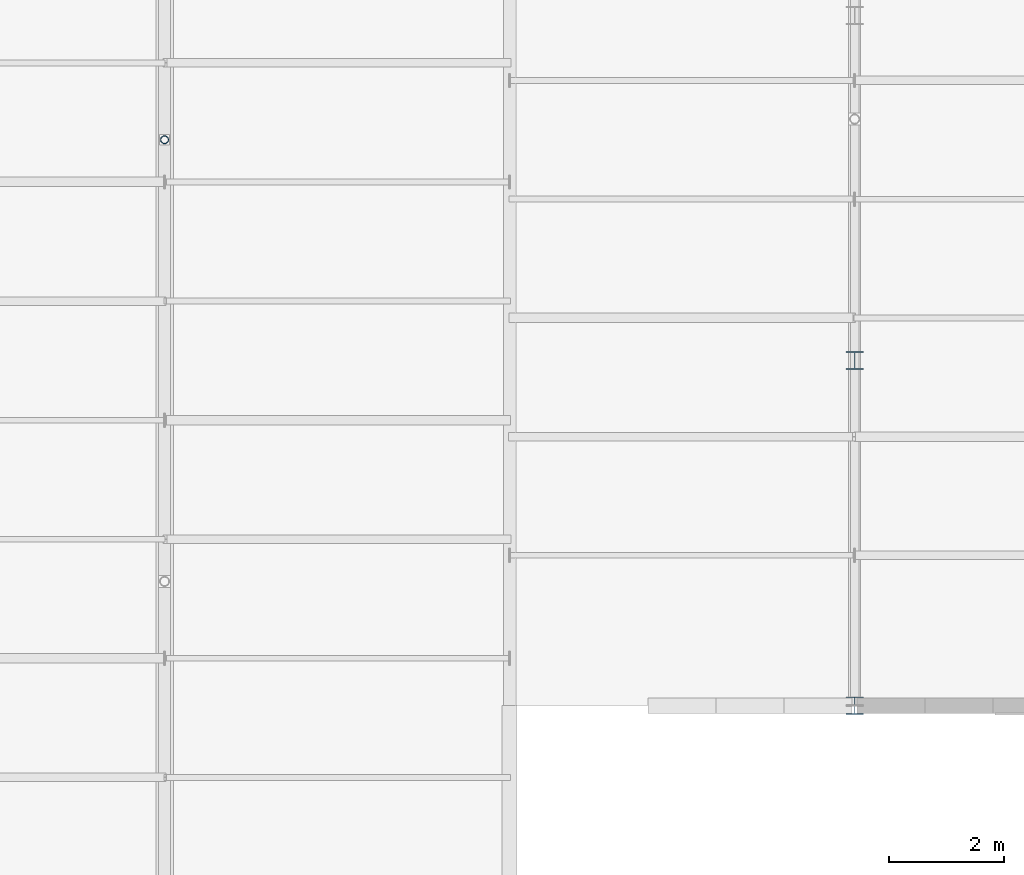
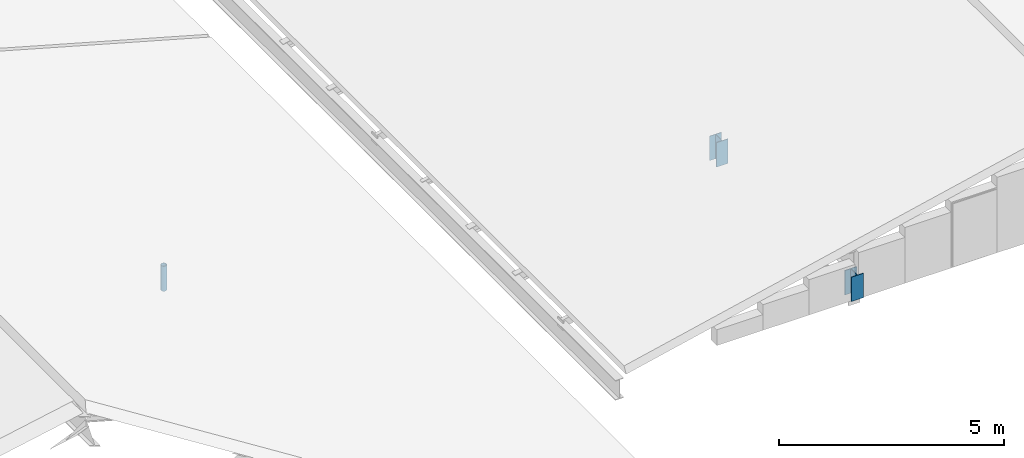
# One storey, part 27 of 74: 3 members.
"""IFC4 building model written with IfcOpenShell, lengths in metres."""

from ifc_helpers import new_model, si_unit, direction, frame, origin, origin_2d, place, context, subcontext, project, spatial, hollow_circle, i_section, extrude, material, material_profile, profile_set, type_object, element, save


model = new_model("IFC4")

# Units and contexts
model_context = context("Model", 3, precision=1e-05, world=origin(), true_north=direction((0.0, 1.0)))
body_context = subcontext(model_context, "Body", "Model", "MODEL_VIEW")
ifc_project = project(units=[si_unit("LENGTHUNIT", "METRE"), si_unit("AREAUNIT", "SQUARE_METRE"), si_unit("VOLUMEUNIT", "CUBIC_METRE"), si_unit("PLANEANGLEUNIT", "RADIAN"), si_unit("MASSUNIT", "GRAM", prefix="KILO")], contexts=[model_context])

# Site, building, storey
site_placement = place(None, origin())
site = spatial("IfcSite", under=ifc_project, at=site_placement, CompositionType="ELEMENT")
building_placement = place(site_placement, origin())
building = spatial("IfcBuilding", under=site, at=building_placement, Name="Siltcreek Boulevard Central Fire Station", CompositionType="ELEMENT")
storey_placement = place(building_placement, frame((0.0, 0.0, 25.199951171875)))
storey = spatial("IfcBuildingStorey", under=building, at=storey_placement, Name="RF", CompositionType="ELEMENT", Elevation=25.199951171875)

# Members
ifc_material_1 = material(Name="Structural steel ASTM A500 GrC", Category="steel")
ifc_material_profile_1 = material_profile(ifc_material_1, hollow_circle(Radius=0.06982421875, WallThickness=0.00634765625, at=origin_2d()), Name="HSS139.7X6.4")
ifc_profile_set_1 = profile_set([ifc_material_profile_1], Name="Structural steel ASTM A500 GrC")
member_type_1 = type_object("IfcMemberType", Name="BR_CHS139", PredefinedType="BRACE", material=ifc_profile_set_1)
member_placement = place(storey_placement, frame((60.0, 33.840087890625, -12.78662109375), z_axis=(0.0, 0.0, 1.0), x_axis=(1.0, 0.0, 0.0)))
element("IfcMember", 1, at=member_placement, inside=storey, type_object=member_type_1, Name="Roof truss web strut BR-043", PredefinedType="BRACE", context=body_context, shape_type="SweptSolid", body=[
    extrude(hollow_circle(Radius=0.06982421875, WallThickness=0.00634765625, at=origin_2d()), origin(), (0.0, 0.0, 1.0), 0.68017578125),
])
ifc_material_2 = material(Name="Structural steel ASTM A992 Gr50", Category="steel")
ifc_material_profile_2 = material_profile(ifc_material_2, i_section(OverallWidth=0.304931640625, OverallDepth=0.30810546875, WebThickness=0.010009765625, FlangeThickness=0.015380859375, at=origin_2d()), Name="W310X97")
ifc_profile_set_2 = profile_set([ifc_material_profile_2], Name="Structural steel ASTM A992 Gr50")
member_type_2 = type_object("IfcMemberType", Name="CH_W310X97", PredefinedType="CHORD", material=ifc_profile_set_2)
for number, where, z_axis, x_axis, name in (
    (2, (72.0, 24.0, -11.199951171875), (0.0, 0.0, 1.0), (1.0, 0.0, 0.0), "Roof bearing truss post 0719"),
    (3, (72.0, 30.0, -11.199951171875), (0.0, 0.0, 1.0), (1.0, 0.0, 0.0), "Roof bearing truss post 0720"),
):
    element("IfcMember", number, at=place(storey_placement, frame(where, z_axis=z_axis, x_axis=x_axis)), inside=storey, type_object=member_type_2, Name=name, PredefinedType="CHORD", context=body_context, shape_type="SweptSolid", body=[
        extrude(i_section(OverallWidth=0.304931640625, OverallDepth=0.30810546875, WebThickness=0.010009765625, FlangeThickness=0.015380859375, at=origin_2d()), origin(), (0.0, 0.0, 1.0), 0.66259765625),
    ])

save(model, "model.ifc")
